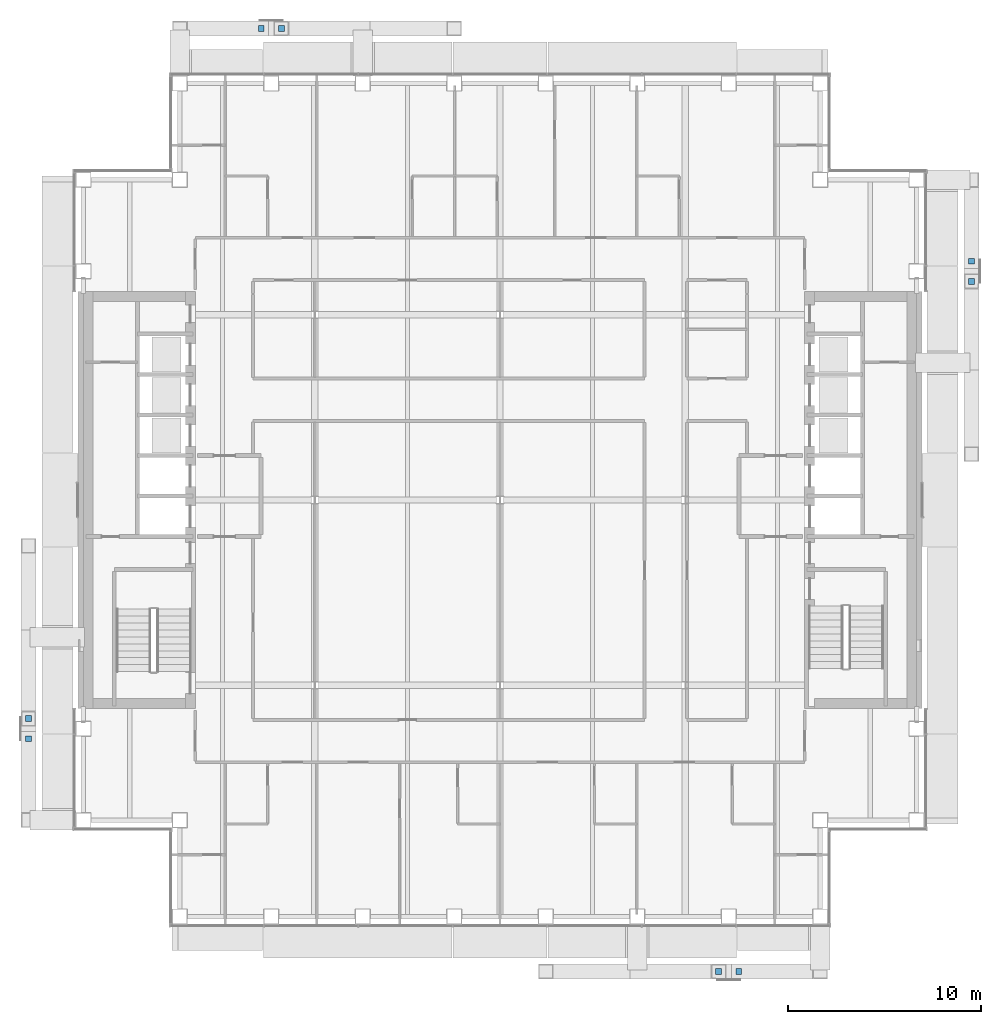
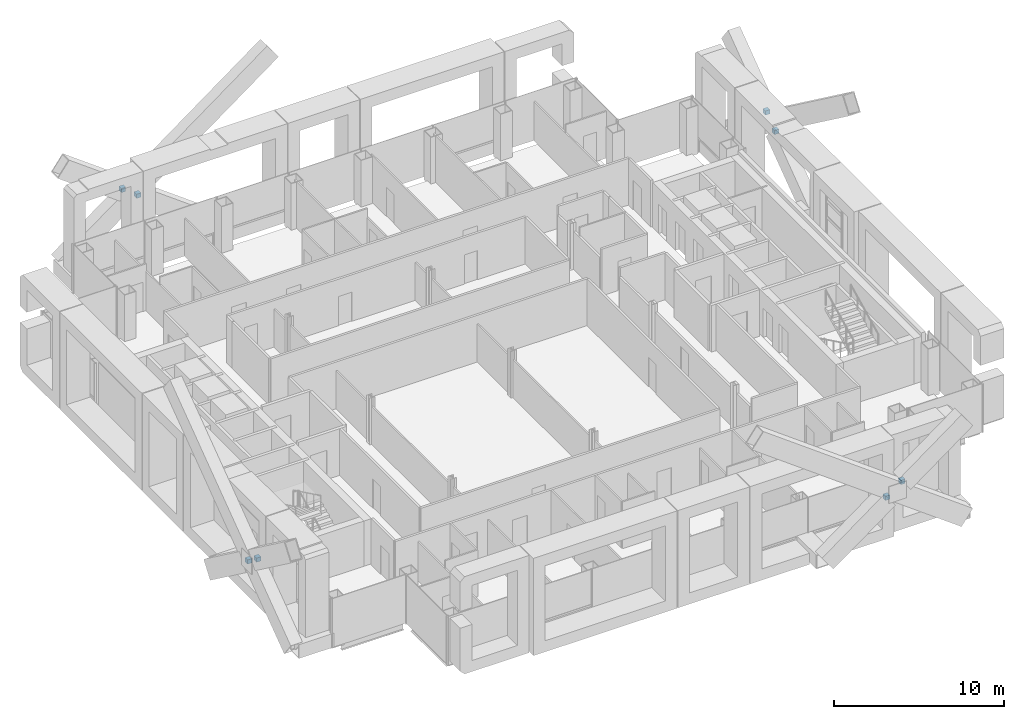
# One storey, part 16 of 22: 8 discrete accessories.
"""IFC4 building model written with IfcOpenShell, lengths in metres."""

import ifcopenshell
import ifcopenshell.guid

model = None  # the IFC model being written
_history = None  # IfcOwnerHistory: only IFC2X3 demands one
_inside = {}  # id of a spatial element -> (the spatial element, [elements in it])
_under = {}  # id of a project, library or spatial element -> (it, [spatial elements below it])
_declared = {}  # id of a project -> (the project, [libraries it declares])
_typed = {}  # id of a type object -> (the type object, [elements of that type])
_made_of = {}  # id of a material, layer set ... -> (it, [elements and type objects made of it])


def new_model(schema):
    """Start an empty IFC model of exactly this schema.

    Asked for "IFC4X3", IfcOpenShell would pick the latest addendum, in which some entities
    have other attributes; the version numbers below select the first issue.
    IFC2X3 requires an IfcOwnerHistory on every rooted entity: one is made here for all.
    """
    global model, _history
    if schema == "IFC4X3":
        model = ifcopenshell.file(schema_version=(4, 3, 0, 0))
    else:
        model = ifcopenshell.file(schema=schema)
    _inside.clear()
    _under.clear()
    _declared.clear()
    _typed.clear()
    _made_of.clear()
    _history = None
    if model.schema == "IFC2X3":
        org = make("IfcOrganization", Name="unknown")
        user = make(
            "IfcPersonAndOrganization",
            ThePerson=make("IfcPerson", FamilyName="unknown"),
            TheOrganization=org,
        )
        app = make(
            "IfcApplication",
            ApplicationDeveloper=org,
            Version="unknown",
            ApplicationFullName="unknown",
            ApplicationIdentifier="unknown",
        )
        _history = make(
            "IfcOwnerHistory",
            OwningUser=user,
            OwningApplication=app,
            ChangeAction="ADDED",
            CreationDate=0,
        )
    return model


def make(cls, **values):
    """One entity of the class cls with the attributes given. An attribute that is None is left unset."""
    return model.create_entity(
        cls, **{name: value for name, value in values.items() if value is not None}
    )


def rooted(cls, **values):
    """An entity with a GlobalId (a new one), such as an element, a storey or a relation."""
    return make(cls, GlobalId=ifcopenshell.guid.new(), OwnerHistory=_history, **values)


def si_unit(unit_type, name, prefix=None):
    """IfcSIUnit, for example si_unit("LENGTHUNIT", "METRE", prefix="MILLI")."""
    return make("IfcSIUnit", UnitType=unit_type, Prefix=prefix, Name=name)


def assignment(units):
    """IfcUnitAssignment: the units of a project."""
    return None if units is None else make("IfcUnitAssignment", Units=units)


def point(xyz):
    """IfcCartesianPoint."""
    return None if xyz is None else make("IfcCartesianPoint", Coordinates=xyz)


def direction(xyz):
    """IfcDirection."""
    return None if xyz is None else make("IfcDirection", DirectionRatios=xyz)


def frame(location, z_axis=None, x_axis=None):
    """IfcAxis2Placement3D, a coordinate frame: its origin and axes. An axis left out is left unset."""
    return make(
        "IfcAxis2Placement3D",
        Location=point(location),
        Axis=direction(z_axis),
        RefDirection=direction(x_axis),
    )


def frame_2d(location, x_axis=None):
    """IfcAxis2Placement2D, a coordinate frame in the plane: its origin and x axis."""
    return make(
        "IfcAxis2Placement2D", Location=point(location), RefDirection=direction(x_axis)
    )


def origin():
    """The frame at (0, 0, 0) with its axes left unset."""
    return frame((0.0, 0.0, 0.0))


def origin_2d():
    """The frame at (0, 0) in the plane with its x axis left unset."""
    return frame_2d((0.0, 0.0))


def place(relative_to, where):
    """IfcLocalPlacement: puts the frame where relative to a parent placement (None: the world)."""
    return make(
        "IfcLocalPlacement", PlacementRelTo=relative_to, RelativePlacement=where
    )


def context(
    kind, dimensions, precision=None, world=None, true_north=None, identifier=None
):
    """IfcGeometricRepresentationContext, for example the 3D "Model" context."""
    return make(
        "IfcGeometricRepresentationContext",
        ContextIdentifier=identifier,
        ContextType=kind,
        CoordinateSpaceDimension=dimensions,
        Precision=precision,
        WorldCoordinateSystem=world,
        TrueNorth=true_north,
    )


def subcontext(parent, identifier, kind, view, scale=None):
    """IfcGeometricRepresentationSubContext, for example "Body" below "Model"."""
    return make(
        "IfcGeometricRepresentationSubContext",
        ContextIdentifier=identifier,
        ContextType=kind,
        ParentContext=parent,
        TargetScale=scale,
        TargetView=view,
    )


def project(units=None, contexts=None):
    """IfcProject with its units and contexts."""
    return rooted(
        "IfcProject",
        Name="project",
        RepresentationContexts=contexts,
        UnitsInContext=assignment(units),
    )


def spatial(cls, under=None, at=None, **own):
    """A site, building, storey or space (cls), placed at a placement, below another one or the project."""
    s = rooted(cls, ObjectPlacement=at, **own)
    if under is not None:
        _under.setdefault(under.id(), (under, []))[1].append(s)
    return s


def profile(cls, at=None, kind="AREA", **sizes):
    """A parametric profile (cls). Its sizes go by their IFC names, for example OverallWidth=200.0."""
    return make(cls, ProfileType=kind, Position=at, **sizes)


def rectangle(**sizes):
    """IfcRectangleProfileDef."""
    return profile("IfcRectangleProfileDef", **sizes)


def extrude(swept, where, along, depth):
    """IfcExtrudedAreaSolid: the profile swept, set in the frame where, extruded along a direction by depth."""
    return make(
        "IfcExtrudedAreaSolid",
        SweptArea=swept,
        Position=where,
        ExtrudedDirection=direction(along),
        Depth=depth,
    )


def shape(context_of_items, identifier, shape_type, items):
    """IfcShapeRepresentation: the items that make up one representation, for example the "Body"."""
    return make(
        "IfcShapeRepresentation",
        ContextOfItems=context_of_items,
        RepresentationIdentifier=identifier,
        RepresentationType=shape_type,
        Items=items,
    )


def material(Name=None, Category=None):
    """IfcMaterial."""
    return make("IfcMaterial", Name=Name, Category=Category)


def made_of(thing, what):
    """Note that an element or type object is made of a material, layer set ...; save() writes the relation."""
    if what is not None:
        _made_of.setdefault(what.id(), (what, []))[1].append(thing)
    return thing


def type_object(cls, material=None, **own):
    """A type object (cls), such as IfcWallType, which elements share."""
    return made_of(rooted(cls, **own), material)


def element(
    cls,
    number,
    at=None,
    inside=None,
    cuts=None,
    type_object=None,
    material=None,
    context=None,
    identifier="Body",
    shape_type=None,
    held_by="IfcProductDefinitionShape",
    body=None,
    shapes=None,
    **own,
):
    """One element of the class cls, such as IfcWall. Its Tag is "e" and its number.

    at: its placement. inside: the storey or other place that contains it. cuts: it is an
    opening in that element (IfcRelVoidsElement). A single representation is given by context,
    identifier, shape_type and body (its items); several are given by shapes. held_by: the class
    of the entity that holds the representations. save() writes the other relations.
    """
    e = rooted(cls, Tag="e%d" % number, ObjectPlacement=at, **own)
    if body is not None:
        shapes = [shape(context, identifier, shape_type, body)]
    if shapes is not None:
        e.Representation = make(held_by, Representations=shapes)
    if inside is not None:
        _inside.setdefault(inside.id(), (inside, []))[1].append(e)
    if cuts is not None:
        rooted(
            "IfcRelVoidsElement", RelatingBuildingElement=cuts, RelatedOpeningElement=e
        )
    if type_object is not None:
        _typed.setdefault(type_object.id(), (type_object, []))[1].append(e)
    return made_of(e, material)


def aggregate(whole, parts):
    """IfcRelAggregates: a whole, such as a stair, and the parts it consists of."""
    return rooted("IfcRelAggregates", RelatingObject=whole, RelatedObjects=parts)


def save(model, path):
    """Write the relations noted so far, then the file.

    IfcRelAggregates (storeys below a building ...), IfcRelContainedInSpatialStructure (elements
    in a storey), IfcRelDefinesByType, IfcRelAssociatesMaterial and IfcRelDeclares: one each for
    every whole, place, type object, material and project.
    """
    for whole, parts in _under.values():
        aggregate(whole, parts)
    for where, things in _inside.values():
        rooted(
            "IfcRelContainedInSpatialStructure",
            RelatedElements=things,
            RelatingStructure=where,
        )
    for kind, things in _typed.values():
        rooted("IfcRelDefinesByType", RelatedObjects=things, RelatingType=kind)
    for what, things in _made_of.values():
        rooted("IfcRelAssociatesMaterial", RelatedObjects=things, RelatingMaterial=what)
    for by, libraries in _declared.values():
        rooted("IfcRelDeclares", RelatingContext=by, RelatedDefinitions=libraries)
    model.write(path)


model = new_model("IFC4")

# Units and contexts
model_context = context("Model", 3, precision=1e-05, world=origin(), true_north=direction((0.0, 1.0)))
body_context = subcontext(model_context, "Body", "Model", "MODEL_VIEW")
ifc_project = project(units=[si_unit("LENGTHUNIT", "METRE"), si_unit("AREAUNIT", "SQUARE_METRE"), si_unit("VOLUMEUNIT", "CUBIC_METRE"), si_unit("PLANEANGLEUNIT", "RADIAN"), si_unit("MASSUNIT", "GRAM", prefix="KILO")], contexts=[model_context])

# Site, building, storey
site_placement = place(None, origin())
site = spatial("IfcSite", under=ifc_project, at=site_placement, CompositionType="ELEMENT")
building_placement = place(site_placement, origin())
building = spatial("IfcBuilding", under=site, at=building_placement, Name="Cobrizo Arcos Hotel Tower", CompositionType="ELEMENT")
storey_placement = place(building_placement, frame((0.0, 0.0, 176.0)))
storey = spatial("IfcBuildingStorey", under=building, at=storey_placement, Name="L45", CompositionType="ELEMENT", Elevation=176.0)

# Discrete accessories
ifc_material = material(Name="Steel ASTM A572 Grade 50", Category="steel")
discrete_accessory_type = type_object("IfcDiscreteAccessoryType", Name="GP-5 brace end plate 300x300x300", PredefinedType="BRACKET", material=ifc_material)
for number, where, z_axis, x_axis, name in (
    (1, (24.449951171875, 11.333984375, 3.4638671875), (0.0, 0.0, 1.0), (1.0, 0.0, 0.0), "Brace end plate"),
    (2, (24.449951171875, 12.38037109375, 4.23583984375), (0.0, 0.0, 1.0), (1.0, 0.0, 0.0), "Brace end plate"),
    (3, (-11.333984375, 24.449951171875, 3.4638671875), (0.0, 0.0, 1.0), (1.0, 0.0, 0.0), "Brace end plate"),
    (4, (-12.38037109375, 24.449951171875, 4.23583984375), (0.0, 0.0, 1.0), (1.0, 0.0, 0.0), "Brace end plate"),
    (5, (11.333984375, -24.449951171875, 3.4638671875), (0.0, 0.0, 1.0), (1.0, 0.0, 0.0), "Brace end plate"),
    (6, (12.38037109375, -24.449951171875, 4.23583984375), (0.0, 0.0, 1.0), (1.0, 0.0, 0.0), "Brace end plate"),
    (7, (-24.449951171875, -11.333984375, 3.4638671875), (0.0, 0.0, 1.0), (1.0, 0.0, 0.0), "Brace end plate"),
    (8, (-24.449951171875, -12.38037109375, 4.23583984375), (0.0, 0.0, 1.0), (1.0, 0.0, 0.0), "Brace end plate"),
):
    element("IfcDiscreteAccessory", number, at=place(storey_placement, frame(where, z_axis=z_axis, x_axis=x_axis)), inside=storey, type_object=discrete_accessory_type, Name=name, PredefinedType="BRACKET", context=body_context, shape_type="SweptSolid", body=[
        extrude(rectangle(XDim=0.300048828125, YDim=0.300048828125, at=origin_2d()), origin(), (0.0, 0.0, 1.0), 0.300048828125),
    ])

save(model, "model.ifc")
